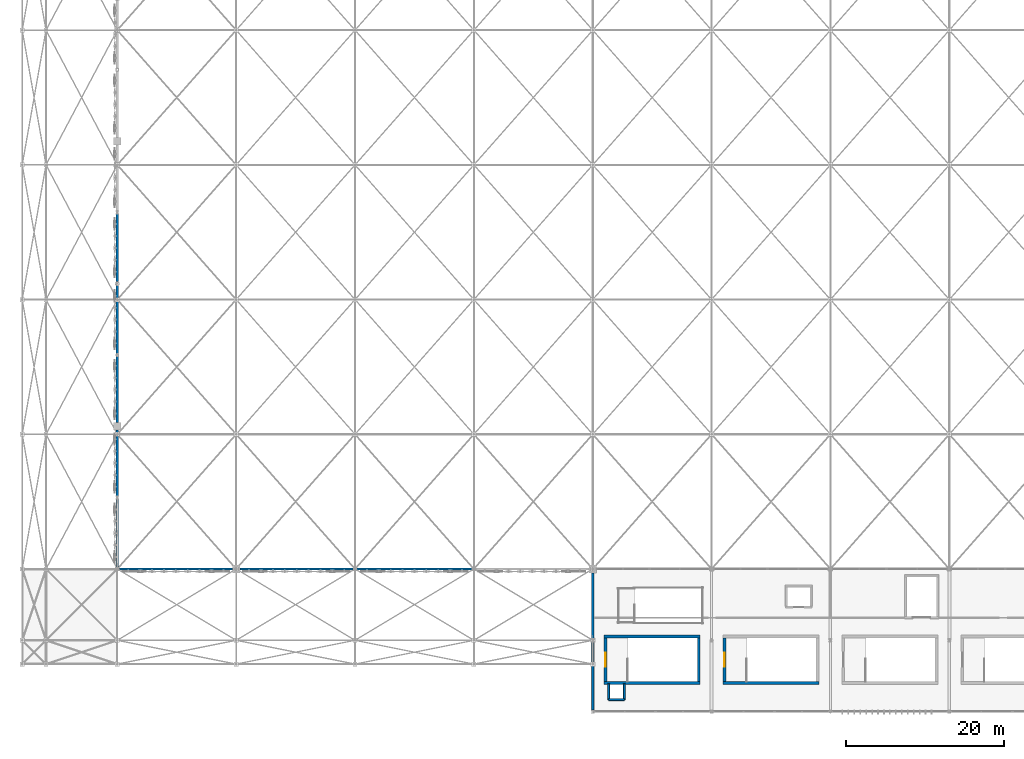
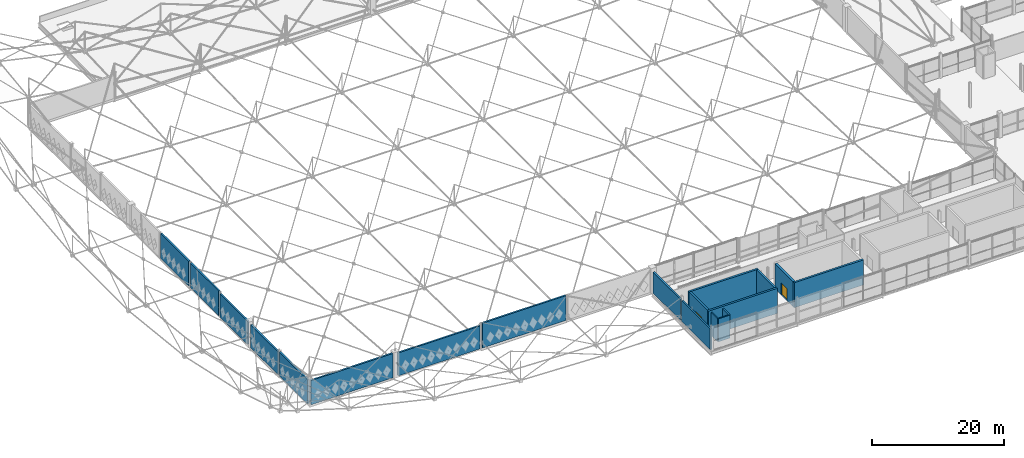
# One storey, part 193 of 224: 19 walls, 2 doors, 2 openings.
"""IFC4 building model written with IfcOpenShell, lengths in metres."""

import ifcopenshell
import ifcopenshell.guid

model = None  # the IFC model being written
_history = None  # IfcOwnerHistory: only IFC2X3 demands one
_inside = {}  # id of a spatial element -> (the spatial element, [elements in it])
_under = {}  # id of a project, library or spatial element -> (it, [spatial elements below it])
_declared = {}  # id of a project -> (the project, [libraries it declares])
_typed = {}  # id of a type object -> (the type object, [elements of that type])
_made_of = {}  # id of a material, layer set ... -> (it, [elements and type objects made of it])


def new_model(schema):
    """Start an empty IFC model of exactly this schema.

    Asked for "IFC4X3", IfcOpenShell would pick the latest addendum, in which some entities
    have other attributes; the version numbers below select the first issue.
    IFC2X3 requires an IfcOwnerHistory on every rooted entity: one is made here for all.
    """
    global model, _history
    if schema == "IFC4X3":
        model = ifcopenshell.file(schema_version=(4, 3, 0, 0))
    else:
        model = ifcopenshell.file(schema=schema)
    _inside.clear()
    _under.clear()
    _declared.clear()
    _typed.clear()
    _made_of.clear()
    _history = None
    if model.schema == "IFC2X3":
        org = make("IfcOrganization", Name="unknown")
        user = make(
            "IfcPersonAndOrganization",
            ThePerson=make("IfcPerson", FamilyName="unknown"),
            TheOrganization=org,
        )
        app = make(
            "IfcApplication",
            ApplicationDeveloper=org,
            Version="unknown",
            ApplicationFullName="unknown",
            ApplicationIdentifier="unknown",
        )
        _history = make(
            "IfcOwnerHistory",
            OwningUser=user,
            OwningApplication=app,
            ChangeAction="ADDED",
            CreationDate=0,
        )
    return model


def make(cls, **values):
    """One entity of the class cls with the attributes given. An attribute that is None is left unset."""
    return model.create_entity(
        cls, **{name: value for name, value in values.items() if value is not None}
    )


def rooted(cls, **values):
    """An entity with a GlobalId (a new one), such as an element, a storey or a relation."""
    return make(cls, GlobalId=ifcopenshell.guid.new(), OwnerHistory=_history, **values)


def si_unit(unit_type, name, prefix=None):
    """IfcSIUnit, for example si_unit("LENGTHUNIT", "METRE", prefix="MILLI")."""
    return make("IfcSIUnit", UnitType=unit_type, Prefix=prefix, Name=name)


def assignment(units):
    """IfcUnitAssignment: the units of a project."""
    return None if units is None else make("IfcUnitAssignment", Units=units)


def point(xyz):
    """IfcCartesianPoint."""
    return None if xyz is None else make("IfcCartesianPoint", Coordinates=xyz)


def direction(xyz):
    """IfcDirection."""
    return None if xyz is None else make("IfcDirection", DirectionRatios=xyz)


def frame(location, z_axis=None, x_axis=None):
    """IfcAxis2Placement3D, a coordinate frame: its origin and axes. An axis left out is left unset."""
    return make(
        "IfcAxis2Placement3D",
        Location=point(location),
        Axis=direction(z_axis),
        RefDirection=direction(x_axis),
    )


def frame_2d(location, x_axis=None):
    """IfcAxis2Placement2D, a coordinate frame in the plane: its origin and x axis."""
    return make(
        "IfcAxis2Placement2D", Location=point(location), RefDirection=direction(x_axis)
    )


def origin():
    """The frame at (0, 0, 0) with its axes left unset."""
    return frame((0.0, 0.0, 0.0))


def place(relative_to, where):
    """IfcLocalPlacement: puts the frame where relative to a parent placement (None: the world)."""
    return make(
        "IfcLocalPlacement", PlacementRelTo=relative_to, RelativePlacement=where
    )


def context(
    kind, dimensions, precision=None, world=None, true_north=None, identifier=None
):
    """IfcGeometricRepresentationContext, for example the 3D "Model" context."""
    return make(
        "IfcGeometricRepresentationContext",
        ContextIdentifier=identifier,
        ContextType=kind,
        CoordinateSpaceDimension=dimensions,
        Precision=precision,
        WorldCoordinateSystem=world,
        TrueNorth=true_north,
    )


def subcontext(parent, identifier, kind, view, scale=None):
    """IfcGeometricRepresentationSubContext, for example "Body" below "Model"."""
    return make(
        "IfcGeometricRepresentationSubContext",
        ContextIdentifier=identifier,
        ContextType=kind,
        ParentContext=parent,
        TargetScale=scale,
        TargetView=view,
    )


def project(units=None, contexts=None):
    """IfcProject with its units and contexts."""
    return rooted(
        "IfcProject",
        Name="project",
        RepresentationContexts=contexts,
        UnitsInContext=assignment(units),
    )


def spatial(cls, under=None, at=None, **own):
    """A site, building, storey or space (cls), placed at a placement, below another one or the project."""
    s = rooted(cls, ObjectPlacement=at, **own)
    if under is not None:
        _under.setdefault(under.id(), (under, []))[1].append(s)
    return s


def profile(cls, at=None, kind="AREA", **sizes):
    """A parametric profile (cls). Its sizes go by their IFC names, for example OverallWidth=200.0."""
    return make(cls, ProfileType=kind, Position=at, **sizes)


def rectangle(**sizes):
    """IfcRectangleProfileDef."""
    return profile("IfcRectangleProfileDef", **sizes)


def extrude(swept, where, along, depth):
    """IfcExtrudedAreaSolid: the profile swept, set in the frame where, extruded along a direction by depth."""
    return make(
        "IfcExtrudedAreaSolid",
        SweptArea=swept,
        Position=where,
        ExtrudedDirection=direction(along),
        Depth=depth,
    )


def shape(context_of_items, identifier, shape_type, items):
    """IfcShapeRepresentation: the items that make up one representation, for example the "Body"."""
    return make(
        "IfcShapeRepresentation",
        ContextOfItems=context_of_items,
        RepresentationIdentifier=identifier,
        RepresentationType=shape_type,
        Items=items,
    )


def material(Name=None, Category=None):
    """IfcMaterial."""
    return make("IfcMaterial", Name=Name, Category=Category)


def layer(
    of_material, thickness, ventilated=None, Name=None, Category=None, Priority=None
):
    """IfcMaterialLayer: one layer of a wall or slab, of a material (None: an air gap)."""
    return make(
        "IfcMaterialLayer",
        Material=of_material,
        LayerThickness=thickness,
        IsVentilated=ventilated,
        Name=Name,
        Category=Category,
        Priority=Priority,
    )


def layer_set(layers, Name=None):
    """IfcMaterialLayerSet."""
    return make("IfcMaterialLayerSet", MaterialLayers=layers, LayerSetName=Name)


def made_of(thing, what):
    """Note that an element or type object is made of a material, layer set ...; save() writes the relation."""
    if what is not None:
        _made_of.setdefault(what.id(), (what, []))[1].append(thing)
    return thing


def type_object(cls, material=None, **own):
    """A type object (cls), such as IfcWallType, which elements share."""
    return made_of(rooted(cls, **own), material)


def element(
    cls,
    number,
    at=None,
    inside=None,
    cuts=None,
    type_object=None,
    material=None,
    context=None,
    identifier="Body",
    shape_type=None,
    held_by="IfcProductDefinitionShape",
    body=None,
    shapes=None,
    **own,
):
    """One element of the class cls, such as IfcWall. Its Tag is "e" and its number.

    at: its placement. inside: the storey or other place that contains it. cuts: it is an
    opening in that element (IfcRelVoidsElement). A single representation is given by context,
    identifier, shape_type and body (its items); several are given by shapes. held_by: the class
    of the entity that holds the representations. save() writes the other relations.
    """
    e = rooted(cls, Tag="e%d" % number, ObjectPlacement=at, **own)
    if body is not None:
        shapes = [shape(context, identifier, shape_type, body)]
    if shapes is not None:
        e.Representation = make(held_by, Representations=shapes)
    if inside is not None:
        _inside.setdefault(inside.id(), (inside, []))[1].append(e)
    if cuts is not None:
        rooted(
            "IfcRelVoidsElement", RelatingBuildingElement=cuts, RelatedOpeningElement=e
        )
    if type_object is not None:
        _typed.setdefault(type_object.id(), (type_object, []))[1].append(e)
    return made_of(e, material)


def fill(opening, filler):
    """IfcRelFillsElement: the door or window that sits in an opening."""
    return rooted(
        "IfcRelFillsElement",
        RelatingOpeningElement=opening,
        RelatedBuildingElement=filler,
    )


def aggregate(whole, parts):
    """IfcRelAggregates: a whole, such as a stair, and the parts it consists of."""
    return rooted("IfcRelAggregates", RelatingObject=whole, RelatedObjects=parts)


def save(model, path):
    """Write the relations noted so far, then the file.

    IfcRelAggregates (storeys below a building ...), IfcRelContainedInSpatialStructure (elements
    in a storey), IfcRelDefinesByType, IfcRelAssociatesMaterial and IfcRelDeclares: one each for
    every whole, place, type object, material and project.
    """
    for whole, parts in _under.values():
        aggregate(whole, parts)
    for where, things in _inside.values():
        rooted(
            "IfcRelContainedInSpatialStructure",
            RelatedElements=things,
            RelatingStructure=where,
        )
    for kind, things in _typed.values():
        rooted("IfcRelDefinesByType", RelatedObjects=things, RelatingType=kind)
    for what, things in _made_of.values():
        rooted("IfcRelAssociatesMaterial", RelatedObjects=things, RelatingMaterial=what)
    for by, libraries in _declared.values():
        rooted("IfcRelDeclares", RelatingContext=by, RelatedDefinitions=libraries)
    model.write(path)


model = new_model("IFC4")

# Units and contexts
model_context = context("Model", 3, precision=1e-05, world=origin(), true_north=direction((0.0, 1.0)))
body_context = subcontext(model_context, "Body", "Model", "MODEL_VIEW")
ifc_project = project(units=[si_unit("LENGTHUNIT", "METRE"), si_unit("AREAUNIT", "SQUARE_METRE"), si_unit("VOLUMEUNIT", "CUBIC_METRE"), si_unit("PLANEANGLEUNIT", "RADIAN"), si_unit("MASSUNIT", "GRAM", prefix="KILO")], contexts=[model_context])

# Site, building, storey
site_placement = place(None, origin())
site = spatial("IfcSite", under=ifc_project, at=site_placement, CompositionType="ELEMENT")
building_placement = place(site_placement, origin())
building = spatial("IfcBuilding", under=site, at=building_placement, Name="Qamarlyn Nura Convention Centre", CompositionType="ELEMENT")
storey_placement = place(building_placement, frame((0.0, 0.0, 10.800048828125)))
storey = spatial("IfcBuildingStorey", under=building, at=storey_placement, Name="L02", CompositionType="ELEMENT", Elevation=10.800048828125)

# Walls
ifc_material_1 = material(Name="Concrete C50/60", Category="concrete")
ifc_layer_1 = layer(ifc_material_1, 0.35009765625, Name="WT-CORE-350")
ifc_layer_set_1 = layer_set([ifc_layer_1], Name="Concrete C50/60")
wall_type_1 = type_object("IfcWallType", Name="WT-CORE-350", PredefinedType="SHEAR", material=ifc_layer_set_1)
for number, where, z_axis, x_axis, name in (
    (1, (61.449951171875, 3.625, 0.0), (0.0, 0.0, 1.0), (1.0, 0.0, 0.0), "L02 stair core shear wall ST-05-S"),
    (2, (73.550048828125, 9.47509765625, 0.0), (0.0, 0.0, 1.0), (-1.0, 0.0, 0.0), "L02 stair core shear wall ST-05-N"),
):
    element("IfcWall", number, at=place(storey_placement, frame(where, z_axis=z_axis, x_axis=x_axis)), inside=storey, type_object=wall_type_1, Name=name, PredefinedType="SHEAR", context=body_context, shape_type="SweptSolid", body=[
        extrude(rectangle(XDim=12.10009765625, YDim=0.35009765625, at=frame_2d((6.050048828125, 0.0))), origin(), (0.0, 0.0, 1.0), 4.625),
    ])

# Wall, opening, door
wall_1_placement = place(storey_placement, frame((61.625, 9.300048828125, 0.0), z_axis=(0.0, 0.0, 1.0), x_axis=(0.0, -1.0, 0.0)))
wall_1 = element("IfcWall", 3, at=wall_1_placement, inside=storey, type_object=wall_type_1, Name="L02 stair core shear wall ST-05-W", PredefinedType="SHEAR", context=body_context, shape_type="SweptSolid", body=[
    extrude(rectangle(XDim=5.5, YDim=0.35009765625, at=frame_2d((2.75, 0.0))), origin(), (0.0, 0.0, 1.0), 4.625),
])
opening_1_placement = place(wall_1_placement, frame((1.85009765625, 0.0, 0.0)))
opening_1 = element("IfcOpeningElement", 4, at=opening_1_placement, cuts=wall_1, Name="Opening DS-016", PredefinedType="OPENING", context=body_context, shape_type="SweptSolid", body=[
    extrude(rectangle(XDim=1.800048828125, YDim=2.199951171875, at=frame_2d((0.89990234375, 1.10009765625))), frame((0.0, 0.18505859375, 0.0), z_axis=(0.0, -1.0, 0.0), x_axis=(1.0, 0.0, 0.0)), (0.0, 0.0, 1.0), 0.3701171875),
])
ifc_material_2 = material(Name="Galvanised fire-rated hollow steel door", Category="steel")
door_type = type_object("IfcDoorType", Name="DR-STAIR-1800", OperationType="DOUBLE_DOOR_SINGLE_SWING", PredefinedType="DOOR", material=ifc_material_2)
door_1_placement = place(opening_1_placement, origin())
door_1 = element("IfcDoor", 5, at=door_1_placement, inside=storey, type_object=door_type, Name="L02 exit stair door ST-05 (DS-016)", OperationType="DOUBLE_DOOR_SINGLE_SWING", OverallHeight=2.199951171875, OverallWidth=1.800048828125, PredefinedType="DOOR", context=body_context, shape_type="SweptSolid", body=[
    extrude(rectangle(XDim=1.800048828125, YDim=2.199951171875, at=frame_2d((0.89990234375, 1.10009765625))), frame((0.0, 0.02490234375, 0.0), z_axis=(0.0, -1.0, 0.0), x_axis=(1.0, 0.0, 0.0)), (0.0, 0.0, 1.0), 0.050048828125),
])
fill(opening_1, door_1)

# Walls
wall_2_placement = place(storey_placement, frame((73.375, 3.800048828125, 0.0), z_axis=(0.0, 0.0, 1.0), x_axis=(0.0, 1.0, 0.0)))
element("IfcWall", 6, at=wall_2_placement, inside=storey, type_object=wall_type_1, Name="L02 stair core shear wall ST-05-E", PredefinedType="SHEAR", context=body_context, shape_type="SweptSolid", body=[
    extrude(rectangle(XDim=5.5, YDim=0.35009765625, at=frame_2d((2.75, 0.0))), origin(), (0.0, 0.0, 1.0), 4.625),
])
wall_3_placement = place(storey_placement, frame((76.449951171875, 3.625, 0.0), z_axis=(0.0, 0.0, 1.0), x_axis=(1.0, 0.0, 0.0)))
element("IfcWall", 7, at=wall_3_placement, inside=storey, type_object=wall_type_1, Name="L02 stair core shear wall ST-06-S", PredefinedType="SHEAR", context=body_context, shape_type="SweptSolid", body=[
    extrude(rectangle(XDim=12.10009765625, YDim=0.35009765625, at=frame_2d((6.050048828125, 0.0))), origin(), (0.0, 0.0, 1.0), 4.625),
])

# Wall, opening, door
wall_4_placement = place(storey_placement, frame((76.625, 9.300048828125, 0.0), z_axis=(0.0, 0.0, 1.0), x_axis=(0.0, -1.0, 0.0)))
wall_4 = element("IfcWall", 8, at=wall_4_placement, inside=storey, type_object=wall_type_1, Name="L02 stair core shear wall ST-06-W", PredefinedType="SHEAR", context=body_context, shape_type="SweptSolid", body=[
    extrude(rectangle(XDim=5.5, YDim=0.35009765625, at=frame_2d((2.75, 0.0))), origin(), (0.0, 0.0, 1.0), 4.625),
])
opening_2_placement = place(wall_4_placement, frame((1.85009765625, 0.0, 0.0)))
opening_2 = element("IfcOpeningElement", 9, at=opening_2_placement, cuts=wall_4, Name="Opening DS-020", PredefinedType="OPENING", context=body_context, shape_type="SweptSolid", body=[
    extrude(rectangle(XDim=1.800048828125, YDim=2.199951171875, at=frame_2d((0.89990234375, 1.10009765625))), frame((0.0, 0.18505859375, 0.0), z_axis=(0.0, -1.0, 0.0), x_axis=(1.0, 0.0, 0.0)), (0.0, 0.0, 1.0), 0.3701171875),
])
door_2_placement = place(opening_2_placement, origin())
door_2 = element("IfcDoor", 10, at=door_2_placement, inside=storey, type_object=door_type, Name="L02 exit stair door ST-06 (DS-020)", OperationType="DOUBLE_DOOR_SINGLE_SWING", OverallHeight=2.199951171875, OverallWidth=1.800048828125, PredefinedType="DOOR", context=body_context, shape_type="SweptSolid", body=[
    extrude(rectangle(XDim=1.800048828125, YDim=2.199951171875, at=frame_2d((0.89990234375, 1.10009765625))), frame((0.0, 0.02490234375, 0.0), z_axis=(0.0, -1.0, 0.0), x_axis=(1.0, 0.0, 0.0)), (0.0, 0.0, 1.0), 0.050048828125),
])
fill(opening_2, door_2)

# Walls
ifc_material_3 = material(Name="Concrete C40/50", Category="concrete")
ifc_layer_2 = layer(ifc_material_3, 0.280029296875, Name="WT-EXT-280")
ifc_layer_set_2 = layer_set([ifc_layer_2], Name="Concrete C40/50")
wall_type_2 = type_object("IfcWallType", Name="WT-EXT-280", PredefinedType="SOLIDWALL", material=ifc_layer_set_2)
wall_5_placement = place(storey_placement, frame((60.0, 0.18603515625, 0.0), z_axis=(0.0, 0.0, 1.0), x_axis=(0.0, 1.0, 0.0)))
element("IfcWall", 11, at=wall_5_placement, inside=storey, type_object=wall_type_2, Name="L02 exterior facade wall WEXT-L02-600-2-600-88", PredefinedType="SOLIDWALL", context=body_context, shape_type="SweptSolid", body=[
    extrude(rectangle(XDim=8.635986328125, YDim=0.280029296875, at=frame_2d((4.31787109375, 0.0))), origin(), (0.0, 0.0, 1.0), 3.864990234375),
])
wall_6_placement = place(storey_placement, frame((60.0, 9.177978515625, 0.0), z_axis=(0.0, 0.0, 1.0), x_axis=(0.0, 1.0, 0.0)))
element("IfcWall", 12, at=wall_6_placement, inside=storey, type_object=wall_type_2, Name="L02 exterior facade wall WEXT-L02-600-92-600-175", PredefinedType="SOLIDWALL", context=body_context, shape_type="SweptSolid", body=[
    extrude(rectangle(XDim=8.346923828125, YDim=0.280029296875, at=frame_2d((4.17333984375, 0.0))), origin(), (0.0, 0.0, 1.0), 3.8759765625),
])
ifc_material_4 = material(Name="Concrete C40/50 with UAE coastal limestone stone facing", Category="masonry")
ifc_layer_3 = layer(ifc_material_4, 0.300048828125, Name="WT-LIME-300")
ifc_layer_set_3 = layer_set([ifc_layer_3], Name="Concrete C40/50 with UAE coastal limestone stone facing")
wall_type_3 = type_object("IfcWallType", Name="WT-LIME-300", PredefinedType="SOLIDWALL", material=ifc_layer_set_3)
wall_7_placement = place(storey_placement, frame((0.0, 18.25390625, 0.0), z_axis=(0.0, 0.0, 1.0), x_axis=(0.0, 1.0, 0.0)))
element("IfcWall", 13, at=wall_7_placement, inside=storey, type_object=wall_type_3, Name="L02 exterior facade wall WEXT-L02-0-183-0-268", PredefinedType="SOLIDWALL", context=body_context, shape_type="SweptSolid", body=[
    extrude(rectangle(XDim=8.53369140625, YDim=0.300048828125, at=frame_2d((4.266845703125, 0.0))), origin(), (0.0, 0.0, 1.0), 4.48486328125),
])
wall_8_placement = place(storey_placement, frame((0.0, 27.21240234375, 0.0), z_axis=(0.0, 0.0, 1.0), x_axis=(0.0, 1.0, 0.0)))
element("IfcWall", 14, at=wall_8_placement, inside=storey, type_object=wall_type_3, Name="L02 exterior facade wall WEXT-L02-0-272-0-355", PredefinedType="SOLIDWALL", context=body_context, shape_type="SweptSolid", body=[
    extrude(rectangle(XDim=8.3125, YDim=0.300048828125, at=frame_2d((4.15625, 0.0))), origin(), (0.0, 0.0, 1.0), 4.245849609375),
])
wall_9_placement = place(storey_placement, frame((0.0, 36.47509765625, 0.0), z_axis=(0.0, 0.0, 1.0), x_axis=(0.0, 1.0, 0.0)))
element("IfcWall", 15, at=wall_9_placement, inside=storey, type_object=wall_type_3, Name="L02 exterior facade wall WEXT-L02-0-365-0-448", PredefinedType="SOLIDWALL", context=body_context, shape_type="SweptSolid", body=[
    extrude(rectangle(XDim=8.32177734375, YDim=0.300048828125, at=frame_2d((4.160888671875, 0.0))), origin(), (0.0, 0.0, 1.0), 4.31884765625),
])
wall_10_placement = place(storey_placement, frame((0.0, 45.203125, 0.0), z_axis=(0.0, 0.0, 1.0), x_axis=(0.0, 1.0, 0.0)))
element("IfcWall", 16, at=wall_10_placement, inside=storey, type_object=wall_type_3, Name="L02 exterior facade wall WEXT-L02-0-452-0-537", PredefinedType="SOLIDWALL", context=body_context, shape_type="SweptSolid", body=[
    extrude(rectangle(XDim=8.54296875, YDim=0.300048828125, at=frame_2d((4.271484375, 0.0))), origin(), (0.0, 0.0, 1.0), 4.599853515625),
])
wall_11_placement = place(storey_placement, frame((0.0, 54.25390625, 0.0), z_axis=(0.0, 0.0, 1.0), x_axis=(0.0, 1.0, 0.0)))
element("IfcWall", 17, at=wall_11_placement, inside=storey, type_object=wall_type_3, Name="L02 exterior facade wall WEXT-L02-0-543-0-628", PredefinedType="SOLIDWALL", context=body_context, shape_type="SweptSolid", body=[
    extrude(rectangle(XDim=8.53369140625, YDim=0.300048828125, at=frame_2d((4.266845703125, 0.0))), origin(), (0.0, 0.0, 1.0), 4.599853515625),
])
wall_12_placement = place(storey_placement, frame((14.52490234375, 18.0, 0.0), z_axis=(0.0, 0.0, 1.0), x_axis=(-1.0, 0.0, 0.0)))
element("IfcWall", 18, at=wall_12_placement, inside=storey, type_object=wall_type_3, Name="L02 exterior facade wall WEXT-L02-145-180-3-180", PredefinedType="SOLIDWALL", context=body_context, shape_type="SweptSolid", body=[
    extrude(rectangle(XDim=14.27099609375, YDim=0.300048828125, at=frame_2d((7.135498046875, 0.0))), origin(), (0.0, 0.0, 1.0), 4.48486328125),
])
wall_13_placement = place(storey_placement, frame((29.796875, 18.0, 0.0), z_axis=(0.0, 0.0, 1.0), x_axis=(-1.0, 0.0, 0.0)))
element("IfcWall", 19, at=wall_13_placement, inside=storey, type_object=wall_type_3, Name="L02 exterior facade wall WEXT-L02-298-180-155-180", PredefinedType="SOLIDWALL", context=body_context, shape_type="SweptSolid", body=[
    extrude(rectangle(XDim=14.32177734375, YDim=0.300048828125, at=frame_2d((7.160888671875, 0.0))), origin(), (0.0, 0.0, 1.0), 4.245849609375),
])
wall_14_placement = place(storey_placement, frame((44.796875, 18.0, 0.0), z_axis=(0.0, 0.0, 1.0), x_axis=(-1.0, 0.0, 0.0)))
element("IfcWall", 20, at=wall_14_placement, inside=storey, type_object=wall_type_3, Name="L02 exterior facade wall WEXT-L02-448-180-302-180", PredefinedType="SOLIDWALL", context=body_context, shape_type="SweptSolid", body=[
    extrude(rectangle(XDim=14.59375, YDim=0.300048828125, at=frame_2d((7.296875, 0.0))), origin(), (0.0, 0.0, 1.0), 4.599853515625),
])
ifc_material_5 = material(Name="Fire-rated acoustic gypsum board and mineral wool EI 120")
ifc_layer_4 = layer(ifc_material_5, 0.25, Name="WT-SHAFT-250")
ifc_layer_set_4 = layer_set([ifc_layer_4], Name="Fire-rated acoustic gypsum board and mineral wool EI 120")
wall_type_4 = type_object("IfcWallType", Name="WT-SHAFT-250", PredefinedType="SOLIDWALL", material=ifc_layer_set_4)
for number, where, z_axis, x_axis, name in (
    (21, (62.0, 1.5, 0.0), (0.0, 0.0, 1.0), (1.0, 0.0, 0.0), "L02 MEP riser shaft wall 24-S"),
    (22, (62.0, 3.5, 0.0), (0.0, 0.0, 1.0), (0.0, -1.0, 0.0), "L02 MEP riser shaft wall 24-W"),
    (23, (64.0, 1.5, 0.0), (0.0, 0.0, 1.0), (0.0, 1.0, 0.0), "L02 MEP riser shaft wall 24-E"),
):
    element("IfcWall", number, at=place(storey_placement, frame(where, z_axis=z_axis, x_axis=x_axis)), inside=storey, type_object=wall_type_4, Name=name, PredefinedType="SOLIDWALL", context=body_context, shape_type="SweptSolid", body=[
        extrude(rectangle(XDim=2.0, YDim=0.25, at=frame_2d((1.0, 0.0))), origin(), (0.0, 0.0, 1.0), 4.25),
    ])

save(model, "model.ifc")
